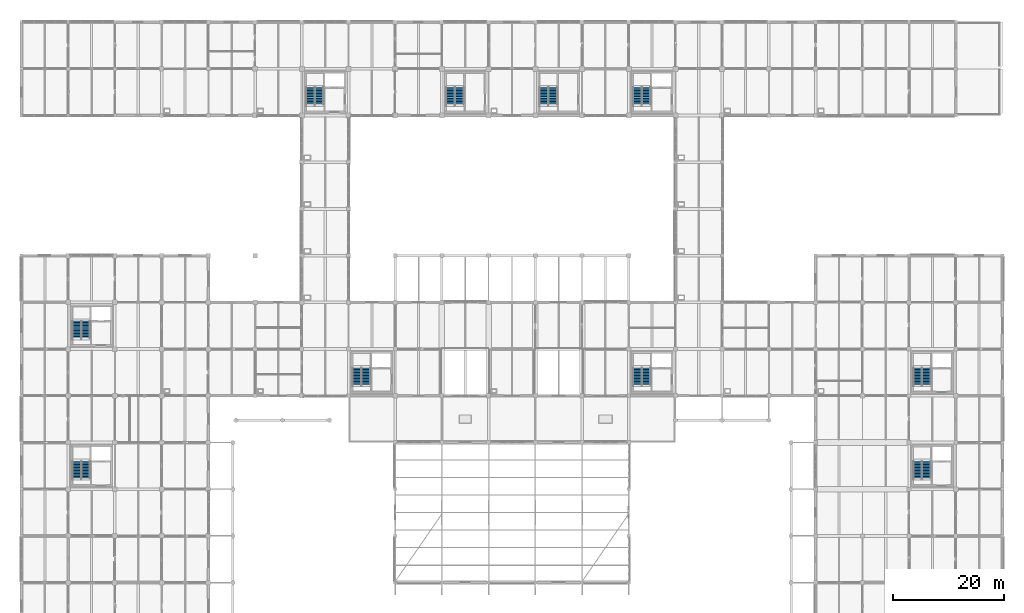
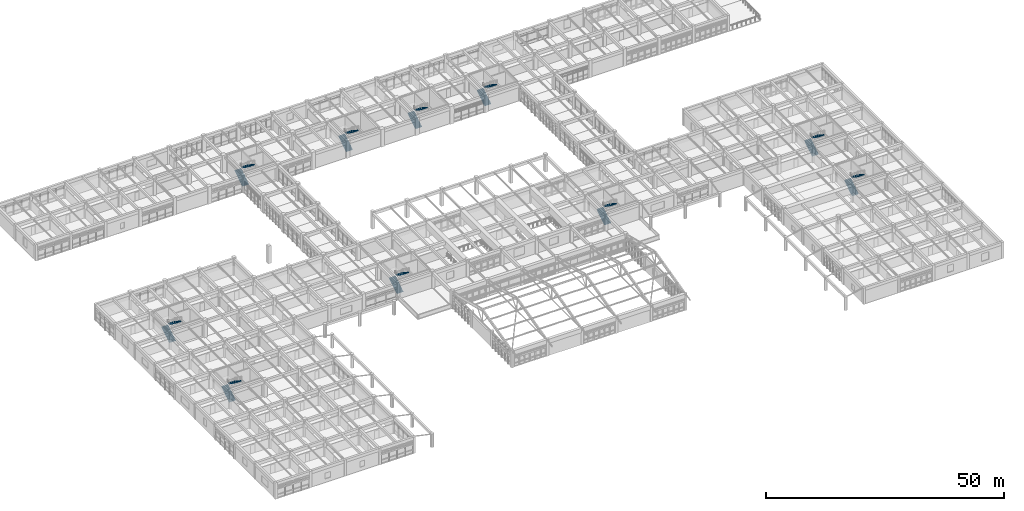
# One storey, part 95 of 99: 20 stair flights, 10 elements without a shape of their own.
"""IFC4 building model written with IfcOpenShell, lengths in metres."""

from ifc_helpers import new_model, si_unit, direction, frame, origin, place, context, subcontext, project, spatial, polyline, outline, extrude, material, layer, layer_set, type_object, element, aggregate, save


model = new_model("IFC4")

# Units and contexts
model_context = context("Model", 3, precision=1e-05, world=origin(), true_north=direction((0.0, 1.0)))
body_context = subcontext(model_context, "Body", "Model", "MODEL_VIEW")
ifc_project = project(units=[si_unit("LENGTHUNIT", "METRE"), si_unit("AREAUNIT", "SQUARE_METRE"), si_unit("VOLUMEUNIT", "CUBIC_METRE"), si_unit("PLANEANGLEUNIT", "RADIAN"), si_unit("MASSUNIT", "GRAM", prefix="KILO")], contexts=[model_context])

# Site, building, storey
site_placement = place(None, origin())
site = spatial("IfcSite", under=ifc_project, at=site_placement, CompositionType="ELEMENT")
building_placement = place(site_placement, origin())
building = spatial("IfcBuilding", under=site, at=building_placement, Name="Porcellanite Civic Hall", CompositionType="ELEMENT")
storey_placement = place(building_placement, frame((0.0, 0.0, 5.760009765625)))
storey = spatial("IfcBuildingStorey", under=building, at=storey_placement, Name="L01", CompositionType="ELEMENT", Elevation=5.760009765625)

# Stair, stair flights
ifc_material_1 = material(Name="Concrete N40 (40 MPa)", Category="concrete")
stair_type = type_object("IfcStairType", Name="STR-HT25", PredefinedType="HALF_TURN_STAIR", material=ifc_material_1)
stair_1_placement = place(storey_placement, origin())
stair_1 = element("IfcStair", 1, at=stair_1_placement, inside=storey, type_object=stair_type, Name="Fire stair ST-01 L01", PredefinedType="HALF_TURN_STAIR")
ifc_material_2 = material(Name="Concrete N40 (40 MPa)", Category="concrete")
ifc_layer = layer(ifc_material_2, 0.18994140625)
ifc_layer_set = layer_set([ifc_layer], Name="Concrete N40 (40 MPa)")
stair_flight_type = type_object("IfcStairFlightType", Name="FLT-154B", PredefinedType="STRAIGHT", material=ifc_layer_set)
stair_flight_1_placement = place(storey_placement, frame((9.9599609375, 35.324951171875, 0.0), z_axis=(0.0, 0.0, 1.0), x_axis=(0.0, 1.0, 0.0)))
stair_flight_1 = element("IfcStairFlight", 2, at=stair_flight_1_placement, type_object=stair_flight_type, Name="ST-01 flight 1", NumberOfRisers=13, NumberOfTreads=12, PredefinedType="STRAIGHT", RiserHeight=0.18, TreadLength=0.275, context=body_context, shape_type="SweptSolid", body=[
    extrude(outline(polyline([(0.0, 0.0), (0.0, 0.179931640625), (0.27490234375, 0.179931640625), (0.27490234375, 0.360107421875), (0.550048828125, 0.360107421875), (0.550048828125, 0.5400390625), (0.824951171875, 0.5400390625), (0.824951171875, 0.719970703125), (1.10009765625, 0.719970703125), (1.10009765625, 0.89990234375), (1.375, 0.89990234375), (1.375, 1.080078125), (1.64990234375, 1.080078125), (1.64990234375, 1.260009765625), (1.925048828125, 1.260009765625), (1.925048828125, 1.43994140625), (2.199951171875, 1.43994140625), (2.199951171875, 1.6201171875), (2.47509765625, 1.6201171875), (2.47509765625, 1.800048828125), (2.75, 1.800048828125), (2.75, 1.97998046875), (3.02490234375, 1.97998046875), (3.02490234375, 2.159912109375), (3.300048828125, 2.159912109375), (3.300048828125, 2.340087890625), (3.300048828125, 1.945068359375), (0.32861328125, 0.0), (0.0, 0.0)])), frame((0.0, 0.77001953125, 0.0), z_axis=(0.0, -1.0, 0.0), x_axis=(1.0, 0.0, 0.0)), (0.0, 0.0, 1.0), 1.5400390625),
])
stair_flight_2_placement = place(storey_placement, frame((11.5400390625, 38.625, 2.340087890625), z_axis=(0.0, 0.0, 1.0), x_axis=(0.0, -1.0, 0.0)))
stair_flight_2 = element("IfcStairFlight", 3, at=stair_flight_2_placement, type_object=stair_flight_type, Name="ST-01 flight 2", NumberOfRisers=12, NumberOfTreads=11, PredefinedType="STRAIGHT", RiserHeight=0.18, TreadLength=0.275, context=body_context, shape_type="SweptSolid", body=[
    extrude(outline(polyline([(0.0, 0.0), (0.0, 0.179931640625), (0.27490234375, 0.179931640625), (0.27490234375, 0.360107421875), (0.550048828125, 0.360107421875), (0.550048828125, 0.5400390625), (0.824951171875, 0.5400390625), (0.824951171875, 0.719970703125), (1.10009765625, 0.719970703125), (1.10009765625, 0.89990234375), (1.375, 0.89990234375), (1.375, 1.080078125), (1.64990234375, 1.080078125), (1.64990234375, 1.260009765625), (1.925048828125, 1.260009765625), (1.925048828125, 1.43994140625), (2.199951171875, 1.43994140625), (2.199951171875, 1.6201171875), (2.47509765625, 1.6201171875), (2.47509765625, 1.800048828125), (2.75, 1.800048828125), (2.75, 1.97998046875), (3.02490234375, 1.97998046875), (3.02490234375, 2.159912109375), (3.02490234375, 1.764892578125), (0.32861328125, 0.0), (0.0, 0.0)])), frame((0.0, 0.77001953125, 0.0), z_axis=(0.0, -1.0, 0.0), x_axis=(1.0, 0.0, 0.0)), (0.0, 0.0, 1.0), 1.5400390625),
])
aggregate(stair_1, [stair_flight_1, stair_flight_2])

stair_2_placement = place(storey_placement, origin())
stair_2 = element("IfcStair", 4, at=stair_2_placement, inside=storey, type_object=stair_type, Name="Fire stair ST-02 L01", PredefinedType="HALF_TURN_STAIR")
stair_flight_3_placement = place(storey_placement, frame((9.9599609375, 60.52490234375, 0.0), z_axis=(0.0, 0.0, 1.0), x_axis=(0.0, 1.0, 0.0)))
stair_flight_3 = element("IfcStairFlight", 5, at=stair_flight_3_placement, type_object=stair_flight_type, Name="ST-02 flight 1", NumberOfRisers=13, NumberOfTreads=12, PredefinedType="STRAIGHT", RiserHeight=0.18, TreadLength=0.275, context=body_context, shape_type="SweptSolid", body=[
    extrude(outline(polyline([(0.0, 0.0), (0.0, 0.179931640625), (0.27490234375, 0.179931640625), (0.27490234375, 0.360107421875), (0.550048828125, 0.360107421875), (0.550048828125, 0.5400390625), (0.824951171875, 0.5400390625), (0.824951171875, 0.719970703125), (1.10009765625, 0.719970703125), (1.10009765625, 0.89990234375), (1.375, 0.89990234375), (1.375, 1.080078125), (1.64990234375, 1.080078125), (1.64990234375, 1.260009765625), (1.925048828125, 1.260009765625), (1.925048828125, 1.43994140625), (2.199951171875, 1.43994140625), (2.199951171875, 1.6201171875), (2.47509765625, 1.6201171875), (2.47509765625, 1.800048828125), (2.75, 1.800048828125), (2.75, 1.97998046875), (3.02490234375, 1.97998046875), (3.02490234375, 2.159912109375), (3.300048828125, 2.159912109375), (3.300048828125, 2.340087890625), (3.300048828125, 1.945068359375), (0.32861328125, 0.0), (0.0, 0.0)])), frame((0.0, 0.77001953125, 0.0), z_axis=(0.0, -1.0, 0.0), x_axis=(1.0, 0.0, 0.0)), (0.0, 0.0, 1.0), 1.5400390625),
])
stair_flight_4_placement = place(storey_placement, frame((11.5400390625, 63.824951171875, 2.340087890625), z_axis=(0.0, 0.0, 1.0), x_axis=(0.0, -1.0, 0.0)))
stair_flight_4 = element("IfcStairFlight", 6, at=stair_flight_4_placement, type_object=stair_flight_type, Name="ST-02 flight 2", NumberOfRisers=12, NumberOfTreads=11, PredefinedType="STRAIGHT", RiserHeight=0.18, TreadLength=0.275, context=body_context, shape_type="SweptSolid", body=[
    extrude(outline(polyline([(0.0, 0.0), (0.0, 0.179931640625), (0.27490234375, 0.179931640625), (0.27490234375, 0.360107421875), (0.550048828125, 0.360107421875), (0.550048828125, 0.5400390625), (0.824951171875, 0.5400390625), (0.824951171875, 0.719970703125), (1.10009765625, 0.719970703125), (1.10009765625, 0.89990234375), (1.375, 0.89990234375), (1.375, 1.080078125), (1.64990234375, 1.080078125), (1.64990234375, 1.260009765625), (1.925048828125, 1.260009765625), (1.925048828125, 1.43994140625), (2.199951171875, 1.43994140625), (2.199951171875, 1.6201171875), (2.47509765625, 1.6201171875), (2.47509765625, 1.800048828125), (2.75, 1.800048828125), (2.75, 1.97998046875), (3.02490234375, 1.97998046875), (3.02490234375, 2.159912109375), (3.02490234375, 1.764892578125), (0.32861328125, 0.0), (0.0, 0.0)])), frame((0.0, 0.77001953125, 0.0), z_axis=(0.0, -1.0, 0.0), x_axis=(1.0, 0.0, 0.0)), (0.0, 0.0, 1.0), 1.5400390625),
])
aggregate(stair_2, [stair_flight_3, stair_flight_4])

stair_3_placement = place(storey_placement, origin())
stair_3 = element("IfcStair", 7, at=stair_3_placement, inside=storey, type_object=stair_type, Name="Fire stair ST-03 L01", PredefinedType="HALF_TURN_STAIR")
stair_flight_5_placement = place(storey_placement, frame((51.9599609375, 102.52490234375, 0.0), z_axis=(0.0, 0.0, 1.0), x_axis=(0.0, 1.0, 0.0)))
stair_flight_5 = element("IfcStairFlight", 8, at=stair_flight_5_placement, type_object=stair_flight_type, Name="ST-03 flight 1", NumberOfRisers=13, NumberOfTreads=12, PredefinedType="STRAIGHT", RiserHeight=0.18, TreadLength=0.275, context=body_context, shape_type="SweptSolid", body=[
    extrude(outline(polyline([(0.0, 0.0), (0.0, 0.179931640625), (0.27490234375, 0.179931640625), (0.27490234375, 0.360107421875), (0.550048828125, 0.360107421875), (0.550048828125, 0.5400390625), (0.824951171875, 0.5400390625), (0.824951171875, 0.719970703125), (1.10009765625, 0.719970703125), (1.10009765625, 0.89990234375), (1.375, 0.89990234375), (1.375, 1.080078125), (1.64990234375, 1.080078125), (1.64990234375, 1.260009765625), (1.925048828125, 1.260009765625), (1.925048828125, 1.43994140625), (2.199951171875, 1.43994140625), (2.199951171875, 1.6201171875), (2.47509765625, 1.6201171875), (2.47509765625, 1.800048828125), (2.75, 1.800048828125), (2.75, 1.97998046875), (3.02490234375, 1.97998046875), (3.02490234375, 2.159912109375), (3.300048828125, 2.159912109375), (3.300048828125, 2.340087890625), (3.300048828125, 1.945068359375), (0.32861328125, 0.0), (0.0, 0.0)])), frame((0.0, 0.77001953125, 0.0), z_axis=(0.0, -1.0, 0.0), x_axis=(1.0, 0.0, 0.0)), (0.0, 0.0, 1.0), 1.5400390625),
])
stair_flight_6_placement = place(storey_placement, frame((53.5400390625, 105.824951171875, 2.340087890625), z_axis=(0.0, 0.0, 1.0), x_axis=(0.0, -1.0, 0.0)))
stair_flight_6 = element("IfcStairFlight", 9, at=stair_flight_6_placement, type_object=stair_flight_type, Name="ST-03 flight 2", NumberOfRisers=12, NumberOfTreads=11, PredefinedType="STRAIGHT", RiserHeight=0.18, TreadLength=0.275, context=body_context, shape_type="SweptSolid", body=[
    extrude(outline(polyline([(0.0, 0.0), (0.0, 0.179931640625), (0.27490234375, 0.179931640625), (0.27490234375, 0.360107421875), (0.550048828125, 0.360107421875), (0.550048828125, 0.5400390625), (0.824951171875, 0.5400390625), (0.824951171875, 0.719970703125), (1.10009765625, 0.719970703125), (1.10009765625, 0.89990234375), (1.375, 0.89990234375), (1.375, 1.080078125), (1.64990234375, 1.080078125), (1.64990234375, 1.260009765625), (1.925048828125, 1.260009765625), (1.925048828125, 1.43994140625), (2.199951171875, 1.43994140625), (2.199951171875, 1.6201171875), (2.47509765625, 1.6201171875), (2.47509765625, 1.800048828125), (2.75, 1.800048828125), (2.75, 1.97998046875), (3.02490234375, 1.97998046875), (3.02490234375, 2.159912109375), (3.02490234375, 1.764892578125), (0.32861328125, 0.0), (0.0, 0.0)])), frame((0.0, 0.77001953125, 0.0), z_axis=(0.0, -1.0, 0.0), x_axis=(1.0, 0.0, 0.0)), (0.0, 0.0, 1.0), 1.5400390625),
])
aggregate(stair_3, [stair_flight_5, stair_flight_6])

stair_4_placement = place(storey_placement, origin())
stair_4 = element("IfcStair", 10, at=stair_4_placement, inside=storey, type_object=stair_type, Name="Fire stair ST-04 L01", PredefinedType="HALF_TURN_STAIR")
stair_flight_7_placement = place(storey_placement, frame((110.760009765625, 102.52490234375, 0.0), z_axis=(0.0, 0.0, 1.0), x_axis=(0.0, 1.0, 0.0)))
stair_flight_7 = element("IfcStairFlight", 11, at=stair_flight_7_placement, type_object=stair_flight_type, Name="ST-04 flight 1", NumberOfRisers=13, NumberOfTreads=12, PredefinedType="STRAIGHT", RiserHeight=0.18, TreadLength=0.275, context=body_context, shape_type="SweptSolid", body=[
    extrude(outline(polyline([(0.0, 0.0), (0.0, 0.179931640625), (0.27490234375, 0.179931640625), (0.27490234375, 0.360107421875), (0.550048828125, 0.360107421875), (0.550048828125, 0.5400390625), (0.824951171875, 0.5400390625), (0.824951171875, 0.719970703125), (1.10009765625, 0.719970703125), (1.10009765625, 0.89990234375), (1.375, 0.89990234375), (1.375, 1.080078125), (1.64990234375, 1.080078125), (1.64990234375, 1.260009765625), (1.925048828125, 1.260009765625), (1.925048828125, 1.43994140625), (2.199951171875, 1.43994140625), (2.199951171875, 1.6201171875), (2.47509765625, 1.6201171875), (2.47509765625, 1.800048828125), (2.75, 1.800048828125), (2.75, 1.97998046875), (3.02490234375, 1.97998046875), (3.02490234375, 2.159912109375), (3.300048828125, 2.159912109375), (3.300048828125, 2.340087890625), (3.300048828125, 1.945068359375), (0.32861328125, 0.0), (0.0, 0.0)])), frame((0.0, 0.77001953125, 0.0), z_axis=(0.0, -1.0, 0.0), x_axis=(1.0, 0.0, 0.0)), (0.0, 0.0, 1.0), 1.5400390625),
])
stair_flight_8_placement = place(storey_placement, frame((112.340087890625, 105.824951171875, 2.340087890625), z_axis=(0.0, 0.0, 1.0), x_axis=(0.0, -1.0, 0.0)))
stair_flight_8 = element("IfcStairFlight", 12, at=stair_flight_8_placement, type_object=stair_flight_type, Name="ST-04 flight 2", NumberOfRisers=12, NumberOfTreads=11, PredefinedType="STRAIGHT", RiserHeight=0.18, TreadLength=0.275, context=body_context, shape_type="SweptSolid", body=[
    extrude(outline(polyline([(0.0, 0.0), (0.0, 0.179931640625), (0.27490234375, 0.179931640625), (0.27490234375, 0.360107421875), (0.550048828125, 0.360107421875), (0.550048828125, 0.5400390625), (0.824951171875, 0.5400390625), (0.824951171875, 0.719970703125), (1.10009765625, 0.719970703125), (1.10009765625, 0.89990234375), (1.375, 0.89990234375), (1.375, 1.080078125), (1.64990234375, 1.080078125), (1.64990234375, 1.260009765625), (1.925048828125, 1.260009765625), (1.925048828125, 1.43994140625), (2.199951171875, 1.43994140625), (2.199951171875, 1.6201171875), (2.47509765625, 1.6201171875), (2.47509765625, 1.800048828125), (2.75, 1.800048828125), (2.75, 1.97998046875), (3.02490234375, 1.97998046875), (3.02490234375, 2.159912109375), (3.02490234375, 1.764892578125), (0.32861328125, 0.0), (0.0, 0.0)])), frame((0.0, 0.77001953125, 0.0), z_axis=(0.0, -1.0, 0.0), x_axis=(1.0, 0.0, 0.0)), (0.0, 0.0, 1.0), 1.5400390625),
])
aggregate(stair_4, [stair_flight_7, stair_flight_8])

stair_5_placement = place(storey_placement, origin())
stair_5 = element("IfcStair", 13, at=stair_5_placement, inside=storey, type_object=stair_type, Name="Fire stair ST-05 L01", PredefinedType="HALF_TURN_STAIR")
stair_flight_9_placement = place(storey_placement, frame((60.360107421875, 52.125, 0.0), z_axis=(0.0, 0.0, 1.0), x_axis=(0.0, 1.0, 0.0)))
stair_flight_9 = element("IfcStairFlight", 14, at=stair_flight_9_placement, type_object=stair_flight_type, Name="ST-05 flight 1", NumberOfRisers=13, NumberOfTreads=12, PredefinedType="STRAIGHT", RiserHeight=0.18, TreadLength=0.275, context=body_context, shape_type="SweptSolid", body=[
    extrude(outline(polyline([(0.0, 0.0), (0.0, 0.179931640625), (0.27490234375, 0.179931640625), (0.27490234375, 0.360107421875), (0.550048828125, 0.360107421875), (0.550048828125, 0.5400390625), (0.824951171875, 0.5400390625), (0.824951171875, 0.719970703125), (1.10009765625, 0.719970703125), (1.10009765625, 0.89990234375), (1.375, 0.89990234375), (1.375, 1.080078125), (1.64990234375, 1.080078125), (1.64990234375, 1.260009765625), (1.925048828125, 1.260009765625), (1.925048828125, 1.43994140625), (2.199951171875, 1.43994140625), (2.199951171875, 1.6201171875), (2.47509765625, 1.6201171875), (2.47509765625, 1.800048828125), (2.75, 1.800048828125), (2.75, 1.97998046875), (3.02490234375, 1.97998046875), (3.02490234375, 2.159912109375), (3.300048828125, 2.159912109375), (3.300048828125, 2.340087890625), (3.300048828125, 1.945068359375), (0.32861328125, 0.0), (0.0, 0.0)])), frame((0.0, 0.77001953125, 0.0), z_axis=(0.0, -1.0, 0.0), x_axis=(1.0, 0.0, 0.0)), (0.0, 0.0, 1.0), 1.5400390625),
])
stair_flight_10_placement = place(storey_placement, frame((61.93994140625, 55.425048828125, 2.340087890625), z_axis=(0.0, 0.0, 1.0), x_axis=(0.0, -1.0, 0.0)))
stair_flight_10 = element("IfcStairFlight", 15, at=stair_flight_10_placement, type_object=stair_flight_type, Name="ST-05 flight 2", NumberOfRisers=12, NumberOfTreads=11, PredefinedType="STRAIGHT", RiserHeight=0.18, TreadLength=0.275, context=body_context, shape_type="SweptSolid", body=[
    extrude(outline(polyline([(0.0, 0.0), (0.0, 0.179931640625), (0.27490234375, 0.179931640625), (0.27490234375, 0.360107421875), (0.550048828125, 0.360107421875), (0.550048828125, 0.5400390625), (0.824951171875, 0.5400390625), (0.824951171875, 0.719970703125), (1.10009765625, 0.719970703125), (1.10009765625, 0.89990234375), (1.375, 0.89990234375), (1.375, 1.080078125), (1.64990234375, 1.080078125), (1.64990234375, 1.260009765625), (1.925048828125, 1.260009765625), (1.925048828125, 1.43994140625), (2.199951171875, 1.43994140625), (2.199951171875, 1.6201171875), (2.47509765625, 1.6201171875), (2.47509765625, 1.800048828125), (2.75, 1.800048828125), (2.75, 1.97998046875), (3.02490234375, 1.97998046875), (3.02490234375, 2.159912109375), (3.02490234375, 1.764892578125), (0.32861328125, 0.0), (0.0, 0.0)])), frame((0.0, 0.77001953125, 0.0), z_axis=(0.0, -1.0, 0.0), x_axis=(1.0, 0.0, 0.0)), (0.0, 0.0, 1.0), 1.5400390625),
])
aggregate(stair_5, [stair_flight_9, stair_flight_10])

stair_6_placement = place(storey_placement, origin())
stair_6 = element("IfcStair", 16, at=stair_6_placement, inside=storey, type_object=stair_type, Name="Fire stair ST-06 L01", PredefinedType="HALF_TURN_STAIR")
stair_flight_11_placement = place(storey_placement, frame((110.760009765625, 52.125, 0.0), z_axis=(0.0, 0.0, 1.0), x_axis=(0.0, 1.0, 0.0)))
stair_flight_11 = element("IfcStairFlight", 17, at=stair_flight_11_placement, type_object=stair_flight_type, Name="ST-06 flight 1", NumberOfRisers=13, NumberOfTreads=12, PredefinedType="STRAIGHT", RiserHeight=0.18, TreadLength=0.275, context=body_context, shape_type="SweptSolid", body=[
    extrude(outline(polyline([(0.0, 0.0), (0.0, 0.179931640625), (0.27490234375, 0.179931640625), (0.27490234375, 0.360107421875), (0.550048828125, 0.360107421875), (0.550048828125, 0.5400390625), (0.824951171875, 0.5400390625), (0.824951171875, 0.719970703125), (1.10009765625, 0.719970703125), (1.10009765625, 0.89990234375), (1.375, 0.89990234375), (1.375, 1.080078125), (1.64990234375, 1.080078125), (1.64990234375, 1.260009765625), (1.925048828125, 1.260009765625), (1.925048828125, 1.43994140625), (2.199951171875, 1.43994140625), (2.199951171875, 1.6201171875), (2.47509765625, 1.6201171875), (2.47509765625, 1.800048828125), (2.75, 1.800048828125), (2.75, 1.97998046875), (3.02490234375, 1.97998046875), (3.02490234375, 2.159912109375), (3.300048828125, 2.159912109375), (3.300048828125, 2.340087890625), (3.300048828125, 1.945068359375), (0.32861328125, 0.0), (0.0, 0.0)])), frame((0.0, 0.77001953125, 0.0), z_axis=(0.0, -1.0, 0.0), x_axis=(1.0, 0.0, 0.0)), (0.0, 0.0, 1.0), 1.5400390625),
])
stair_flight_12_placement = place(storey_placement, frame((112.340087890625, 55.425048828125, 2.340087890625), z_axis=(0.0, 0.0, 1.0), x_axis=(0.0, -1.0, 0.0)))
stair_flight_12 = element("IfcStairFlight", 18, at=stair_flight_12_placement, type_object=stair_flight_type, Name="ST-06 flight 2", NumberOfRisers=12, NumberOfTreads=11, PredefinedType="STRAIGHT", RiserHeight=0.18, TreadLength=0.275, context=body_context, shape_type="SweptSolid", body=[
    extrude(outline(polyline([(0.0, 0.0), (0.0, 0.179931640625), (0.27490234375, 0.179931640625), (0.27490234375, 0.360107421875), (0.550048828125, 0.360107421875), (0.550048828125, 0.5400390625), (0.824951171875, 0.5400390625), (0.824951171875, 0.719970703125), (1.10009765625, 0.719970703125), (1.10009765625, 0.89990234375), (1.375, 0.89990234375), (1.375, 1.080078125), (1.64990234375, 1.080078125), (1.64990234375, 1.260009765625), (1.925048828125, 1.260009765625), (1.925048828125, 1.43994140625), (2.199951171875, 1.43994140625), (2.199951171875, 1.6201171875), (2.47509765625, 1.6201171875), (2.47509765625, 1.800048828125), (2.75, 1.800048828125), (2.75, 1.97998046875), (3.02490234375, 1.97998046875), (3.02490234375, 2.159912109375), (3.02490234375, 1.764892578125), (0.32861328125, 0.0), (0.0, 0.0)])), frame((0.0, 0.77001953125, 0.0), z_axis=(0.0, -1.0, 0.0), x_axis=(1.0, 0.0, 0.0)), (0.0, 0.0, 1.0), 1.5400390625),
])
aggregate(stair_6, [stair_flight_11, stair_flight_12])

stair_7_placement = place(storey_placement, origin())
stair_7 = element("IfcStair", 19, at=stair_7_placement, inside=storey, type_object=stair_type, Name="Fire stair ST-07 L01", PredefinedType="HALF_TURN_STAIR")
stair_flight_13_placement = place(storey_placement, frame((161.159912109375, 35.324951171875, 0.0), z_axis=(0.0, 0.0, 1.0), x_axis=(0.0, 1.0, 0.0)))
stair_flight_13 = element("IfcStairFlight", 20, at=stair_flight_13_placement, type_object=stair_flight_type, Name="ST-07 flight 1", NumberOfRisers=13, NumberOfTreads=12, PredefinedType="STRAIGHT", RiserHeight=0.18, TreadLength=0.275, context=body_context, shape_type="SweptSolid", body=[
    extrude(outline(polyline([(0.0, 0.0), (0.0, 0.179931640625), (0.27490234375, 0.179931640625), (0.27490234375, 0.360107421875), (0.550048828125, 0.360107421875), (0.550048828125, 0.5400390625), (0.824951171875, 0.5400390625), (0.824951171875, 0.719970703125), (1.10009765625, 0.719970703125), (1.10009765625, 0.89990234375), (1.375, 0.89990234375), (1.375, 1.080078125), (1.64990234375, 1.080078125), (1.64990234375, 1.260009765625), (1.925048828125, 1.260009765625), (1.925048828125, 1.43994140625), (2.199951171875, 1.43994140625), (2.199951171875, 1.6201171875), (2.47509765625, 1.6201171875), (2.47509765625, 1.800048828125), (2.75, 1.800048828125), (2.75, 1.97998046875), (3.02490234375, 1.97998046875), (3.02490234375, 2.159912109375), (3.300048828125, 2.159912109375), (3.300048828125, 2.340087890625), (3.300048828125, 1.945068359375), (0.32861328125, 0.0), (0.0, 0.0)])), frame((0.0, 0.77001953125, 0.0), z_axis=(0.0, -1.0, 0.0), x_axis=(1.0, 0.0, 0.0)), (0.0, 0.0, 1.0), 1.5400390625),
])
stair_flight_14_placement = place(storey_placement, frame((162.739990234375, 38.625, 2.340087890625), z_axis=(0.0, 0.0, 1.0), x_axis=(0.0, -1.0, 0.0)))
stair_flight_14 = element("IfcStairFlight", 21, at=stair_flight_14_placement, type_object=stair_flight_type, Name="ST-07 flight 2", NumberOfRisers=12, NumberOfTreads=11, PredefinedType="STRAIGHT", RiserHeight=0.18, TreadLength=0.275, context=body_context, shape_type="SweptSolid", body=[
    extrude(outline(polyline([(0.0, 0.0), (0.0, 0.179931640625), (0.27490234375, 0.179931640625), (0.27490234375, 0.360107421875), (0.550048828125, 0.360107421875), (0.550048828125, 0.5400390625), (0.824951171875, 0.5400390625), (0.824951171875, 0.719970703125), (1.10009765625, 0.719970703125), (1.10009765625, 0.89990234375), (1.375, 0.89990234375), (1.375, 1.080078125), (1.64990234375, 1.080078125), (1.64990234375, 1.260009765625), (1.925048828125, 1.260009765625), (1.925048828125, 1.43994140625), (2.199951171875, 1.43994140625), (2.199951171875, 1.6201171875), (2.47509765625, 1.6201171875), (2.47509765625, 1.800048828125), (2.75, 1.800048828125), (2.75, 1.97998046875), (3.02490234375, 1.97998046875), (3.02490234375, 2.159912109375), (3.02490234375, 1.764892578125), (0.32861328125, 0.0), (0.0, 0.0)])), frame((0.0, 0.77001953125, 0.0), z_axis=(0.0, -1.0, 0.0), x_axis=(1.0, 0.0, 0.0)), (0.0, 0.0, 1.0), 1.5400390625),
])
aggregate(stair_7, [stair_flight_13, stair_flight_14])

stair_8_placement = place(storey_placement, origin())
stair_8 = element("IfcStair", 22, at=stair_8_placement, inside=storey, type_object=stair_type, Name="Fire stair ST-08 L01", PredefinedType="HALF_TURN_STAIR")
stair_flight_15_placement = place(storey_placement, frame((161.159912109375, 52.125, 0.0), z_axis=(0.0, 0.0, 1.0), x_axis=(0.0, 1.0, 0.0)))
stair_flight_15 = element("IfcStairFlight", 23, at=stair_flight_15_placement, type_object=stair_flight_type, Name="ST-08 flight 1", NumberOfRisers=13, NumberOfTreads=12, PredefinedType="STRAIGHT", RiserHeight=0.18, TreadLength=0.275, context=body_context, shape_type="SweptSolid", body=[
    extrude(outline(polyline([(0.0, 0.0), (0.0, 0.179931640625), (0.27490234375, 0.179931640625), (0.27490234375, 0.360107421875), (0.550048828125, 0.360107421875), (0.550048828125, 0.5400390625), (0.824951171875, 0.5400390625), (0.824951171875, 0.719970703125), (1.10009765625, 0.719970703125), (1.10009765625, 0.89990234375), (1.375, 0.89990234375), (1.375, 1.080078125), (1.64990234375, 1.080078125), (1.64990234375, 1.260009765625), (1.925048828125, 1.260009765625), (1.925048828125, 1.43994140625), (2.199951171875, 1.43994140625), (2.199951171875, 1.6201171875), (2.47509765625, 1.6201171875), (2.47509765625, 1.800048828125), (2.75, 1.800048828125), (2.75, 1.97998046875), (3.02490234375, 1.97998046875), (3.02490234375, 2.159912109375), (3.300048828125, 2.159912109375), (3.300048828125, 2.340087890625), (3.300048828125, 1.945068359375), (0.32861328125, 0.0), (0.0, 0.0)])), frame((0.0, 0.77001953125, 0.0), z_axis=(0.0, -1.0, 0.0), x_axis=(1.0, 0.0, 0.0)), (0.0, 0.0, 1.0), 1.5400390625),
])
stair_flight_16_placement = place(storey_placement, frame((162.739990234375, 55.425048828125, 2.340087890625), z_axis=(0.0, 0.0, 1.0), x_axis=(0.0, -1.0, 0.0)))
stair_flight_16 = element("IfcStairFlight", 24, at=stair_flight_16_placement, type_object=stair_flight_type, Name="ST-08 flight 2", NumberOfRisers=12, NumberOfTreads=11, PredefinedType="STRAIGHT", RiserHeight=0.18, TreadLength=0.275, context=body_context, shape_type="SweptSolid", body=[
    extrude(outline(polyline([(0.0, 0.0), (0.0, 0.179931640625), (0.27490234375, 0.179931640625), (0.27490234375, 0.360107421875), (0.550048828125, 0.360107421875), (0.550048828125, 0.5400390625), (0.824951171875, 0.5400390625), (0.824951171875, 0.719970703125), (1.10009765625, 0.719970703125), (1.10009765625, 0.89990234375), (1.375, 0.89990234375), (1.375, 1.080078125), (1.64990234375, 1.080078125), (1.64990234375, 1.260009765625), (1.925048828125, 1.260009765625), (1.925048828125, 1.43994140625), (2.199951171875, 1.43994140625), (2.199951171875, 1.6201171875), (2.47509765625, 1.6201171875), (2.47509765625, 1.800048828125), (2.75, 1.800048828125), (2.75, 1.97998046875), (3.02490234375, 1.97998046875), (3.02490234375, 2.159912109375), (3.02490234375, 1.764892578125), (0.32861328125, 0.0), (0.0, 0.0)])), frame((0.0, 0.77001953125, 0.0), z_axis=(0.0, -1.0, 0.0), x_axis=(1.0, 0.0, 0.0)), (0.0, 0.0, 1.0), 1.5400390625),
])
aggregate(stair_8, [stair_flight_15, stair_flight_16])

stair_9_placement = place(storey_placement, origin())
stair_9 = element("IfcStair", 25, at=stair_9_placement, inside=storey, type_object=stair_type, Name="Fire stair ST-09 L01", PredefinedType="HALF_TURN_STAIR")
stair_flight_17_placement = place(storey_placement, frame((77.159912109375, 102.52490234375, 0.0), z_axis=(0.0, 0.0, 1.0), x_axis=(0.0, 1.0, 0.0)))
stair_flight_17 = element("IfcStairFlight", 26, at=stair_flight_17_placement, type_object=stair_flight_type, Name="ST-09 flight 1", NumberOfRisers=13, NumberOfTreads=12, PredefinedType="STRAIGHT", RiserHeight=0.18, TreadLength=0.275, context=body_context, shape_type="SweptSolid", body=[
    extrude(outline(polyline([(0.0, 0.0), (0.0, 0.179931640625), (0.27490234375, 0.179931640625), (0.27490234375, 0.360107421875), (0.550048828125, 0.360107421875), (0.550048828125, 0.5400390625), (0.824951171875, 0.5400390625), (0.824951171875, 0.719970703125), (1.10009765625, 0.719970703125), (1.10009765625, 0.89990234375), (1.375, 0.89990234375), (1.375, 1.080078125), (1.64990234375, 1.080078125), (1.64990234375, 1.260009765625), (1.925048828125, 1.260009765625), (1.925048828125, 1.43994140625), (2.199951171875, 1.43994140625), (2.199951171875, 1.6201171875), (2.47509765625, 1.6201171875), (2.47509765625, 1.800048828125), (2.75, 1.800048828125), (2.75, 1.97998046875), (3.02490234375, 1.97998046875), (3.02490234375, 2.159912109375), (3.300048828125, 2.159912109375), (3.300048828125, 2.340087890625), (3.300048828125, 1.945068359375), (0.32861328125, 0.0), (0.0, 0.0)])), frame((0.0, 0.77001953125, 0.0), z_axis=(0.0, -1.0, 0.0), x_axis=(1.0, 0.0, 0.0)), (0.0, 0.0, 1.0), 1.5400390625),
])
stair_flight_18_placement = place(storey_placement, frame((78.739990234375, 105.824951171875, 2.340087890625), z_axis=(0.0, 0.0, 1.0), x_axis=(0.0, -1.0, 0.0)))
stair_flight_18 = element("IfcStairFlight", 27, at=stair_flight_18_placement, type_object=stair_flight_type, Name="ST-09 flight 2", NumberOfRisers=12, NumberOfTreads=11, PredefinedType="STRAIGHT", RiserHeight=0.18, TreadLength=0.275, context=body_context, shape_type="SweptSolid", body=[
    extrude(outline(polyline([(0.0, 0.0), (0.0, 0.179931640625), (0.27490234375, 0.179931640625), (0.27490234375, 0.360107421875), (0.550048828125, 0.360107421875), (0.550048828125, 0.5400390625), (0.824951171875, 0.5400390625), (0.824951171875, 0.719970703125), (1.10009765625, 0.719970703125), (1.10009765625, 0.89990234375), (1.375, 0.89990234375), (1.375, 1.080078125), (1.64990234375, 1.080078125), (1.64990234375, 1.260009765625), (1.925048828125, 1.260009765625), (1.925048828125, 1.43994140625), (2.199951171875, 1.43994140625), (2.199951171875, 1.6201171875), (2.47509765625, 1.6201171875), (2.47509765625, 1.800048828125), (2.75, 1.800048828125), (2.75, 1.97998046875), (3.02490234375, 1.97998046875), (3.02490234375, 2.159912109375), (3.02490234375, 1.764892578125), (0.32861328125, 0.0), (0.0, 0.0)])), frame((0.0, 0.77001953125, 0.0), z_axis=(0.0, -1.0, 0.0), x_axis=(1.0, 0.0, 0.0)), (0.0, 0.0, 1.0), 1.5400390625),
])
aggregate(stair_9, [stair_flight_17, stair_flight_18])

stair_10_placement = place(storey_placement, origin())
stair_10 = element("IfcStair", 28, at=stair_10_placement, inside=storey, type_object=stair_type, Name="Fire stair ST-10 L01", PredefinedType="HALF_TURN_STAIR")
stair_flight_19_placement = place(storey_placement, frame((93.9599609375, 102.52490234375, 0.0), z_axis=(0.0, 0.0, 1.0), x_axis=(0.0, 1.0, 0.0)))
stair_flight_19 = element("IfcStairFlight", 29, at=stair_flight_19_placement, type_object=stair_flight_type, Name="ST-10 flight 1", NumberOfRisers=13, NumberOfTreads=12, PredefinedType="STRAIGHT", RiserHeight=0.18, TreadLength=0.275, context=body_context, shape_type="SweptSolid", body=[
    extrude(outline(polyline([(0.0, 0.0), (0.0, 0.179931640625), (0.27490234375, 0.179931640625), (0.27490234375, 0.360107421875), (0.550048828125, 0.360107421875), (0.550048828125, 0.5400390625), (0.824951171875, 0.5400390625), (0.824951171875, 0.719970703125), (1.10009765625, 0.719970703125), (1.10009765625, 0.89990234375), (1.375, 0.89990234375), (1.375, 1.080078125), (1.64990234375, 1.080078125), (1.64990234375, 1.260009765625), (1.925048828125, 1.260009765625), (1.925048828125, 1.43994140625), (2.199951171875, 1.43994140625), (2.199951171875, 1.6201171875), (2.47509765625, 1.6201171875), (2.47509765625, 1.800048828125), (2.75, 1.800048828125), (2.75, 1.97998046875), (3.02490234375, 1.97998046875), (3.02490234375, 2.159912109375), (3.300048828125, 2.159912109375), (3.300048828125, 2.340087890625), (3.300048828125, 1.945068359375), (0.32861328125, 0.0), (0.0, 0.0)])), frame((0.0, 0.77001953125, 0.0), z_axis=(0.0, -1.0, 0.0), x_axis=(1.0, 0.0, 0.0)), (0.0, 0.0, 1.0), 1.5400390625),
])
stair_flight_20_placement = place(storey_placement, frame((95.5400390625, 105.824951171875, 2.340087890625), z_axis=(0.0, 0.0, 1.0), x_axis=(0.0, -1.0, 0.0)))
stair_flight_20 = element("IfcStairFlight", 30, at=stair_flight_20_placement, type_object=stair_flight_type, Name="ST-10 flight 2", NumberOfRisers=12, NumberOfTreads=11, PredefinedType="STRAIGHT", RiserHeight=0.18, TreadLength=0.275, context=body_context, shape_type="SweptSolid", body=[
    extrude(outline(polyline([(0.0, 0.0), (0.0, 0.179931640625), (0.27490234375, 0.179931640625), (0.27490234375, 0.360107421875), (0.550048828125, 0.360107421875), (0.550048828125, 0.5400390625), (0.824951171875, 0.5400390625), (0.824951171875, 0.719970703125), (1.10009765625, 0.719970703125), (1.10009765625, 0.89990234375), (1.375, 0.89990234375), (1.375, 1.080078125), (1.64990234375, 1.080078125), (1.64990234375, 1.260009765625), (1.925048828125, 1.260009765625), (1.925048828125, 1.43994140625), (2.199951171875, 1.43994140625), (2.199951171875, 1.6201171875), (2.47509765625, 1.6201171875), (2.47509765625, 1.800048828125), (2.75, 1.800048828125), (2.75, 1.97998046875), (3.02490234375, 1.97998046875), (3.02490234375, 2.159912109375), (3.02490234375, 1.764892578125), (0.32861328125, 0.0), (0.0, 0.0)])), frame((0.0, 0.77001953125, 0.0), z_axis=(0.0, -1.0, 0.0), x_axis=(1.0, 0.0, 0.0)), (0.0, 0.0, 1.0), 1.5400390625),
])
aggregate(stair_10, [stair_flight_19, stair_flight_20])

save(model, "model.ifc")
